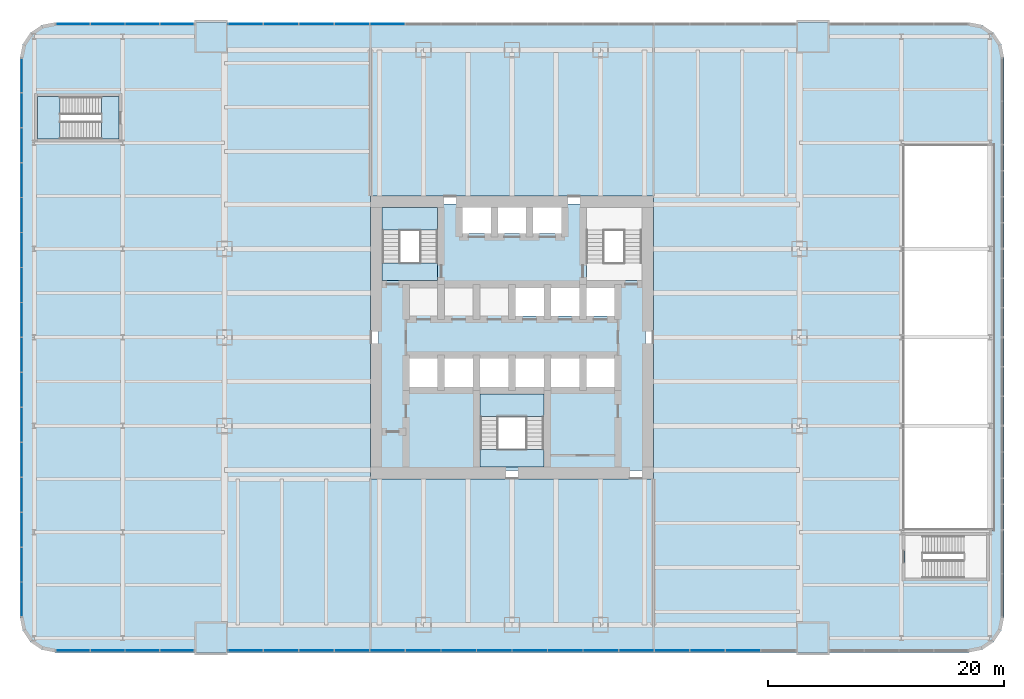
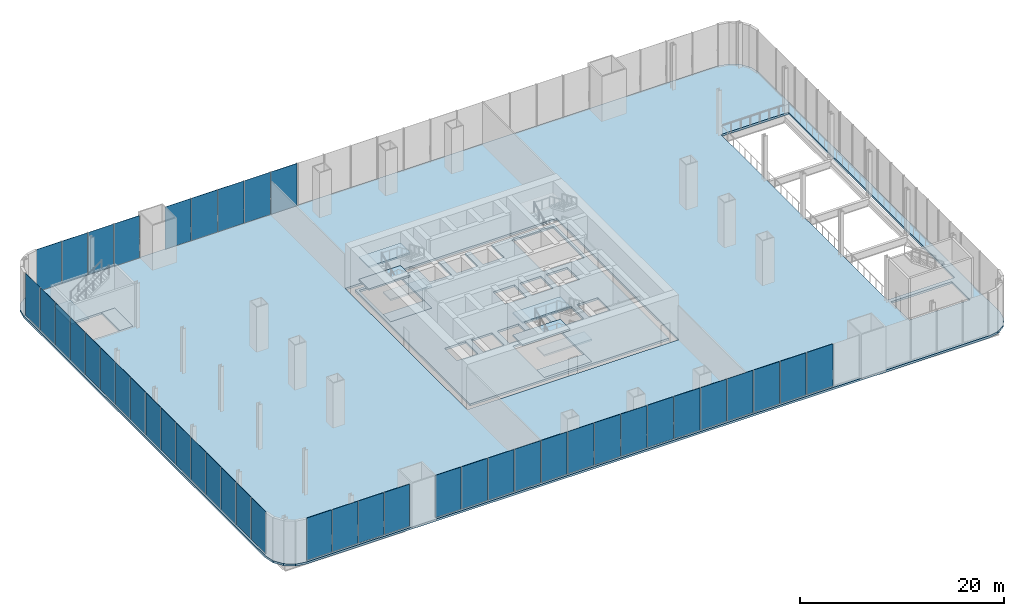
# One storey, part 10 of 16: 44 plates, 12 slabs, 8 elements without a shape of their own.
"""IFC4 building model written with IfcOpenShell, lengths in metres."""

import ifcopenshell
import ifcopenshell.guid

model = None  # the IFC model being written
_history = None  # IfcOwnerHistory: only IFC2X3 demands one
_inside = {}  # id of a spatial element -> (the spatial element, [elements in it])
_under = {}  # id of a project, library or spatial element -> (it, [spatial elements below it])
_declared = {}  # id of a project -> (the project, [libraries it declares])
_typed = {}  # id of a type object -> (the type object, [elements of that type])
_made_of = {}  # id of a material, layer set ... -> (it, [elements and type objects made of it])


def new_model(schema):
    """Start an empty IFC model of exactly this schema.

    Asked for "IFC4X3", IfcOpenShell would pick the latest addendum, in which some entities
    have other attributes; the version numbers below select the first issue.
    IFC2X3 requires an IfcOwnerHistory on every rooted entity: one is made here for all.
    """
    global model, _history
    if schema == "IFC4X3":
        model = ifcopenshell.file(schema_version=(4, 3, 0, 0))
    else:
        model = ifcopenshell.file(schema=schema)
    _inside.clear()
    _under.clear()
    _declared.clear()
    _typed.clear()
    _made_of.clear()
    _history = None
    if model.schema == "IFC2X3":
        org = make("IfcOrganization", Name="unknown")
        user = make(
            "IfcPersonAndOrganization",
            ThePerson=make("IfcPerson", FamilyName="unknown"),
            TheOrganization=org,
        )
        app = make(
            "IfcApplication",
            ApplicationDeveloper=org,
            Version="unknown",
            ApplicationFullName="unknown",
            ApplicationIdentifier="unknown",
        )
        _history = make(
            "IfcOwnerHistory",
            OwningUser=user,
            OwningApplication=app,
            ChangeAction="ADDED",
            CreationDate=0,
        )
    return model


def make(cls, **values):
    """One entity of the class cls with the attributes given. An attribute that is None is left unset."""
    return model.create_entity(
        cls, **{name: value for name, value in values.items() if value is not None}
    )


def rooted(cls, **values):
    """An entity with a GlobalId (a new one), such as an element, a storey or a relation."""
    return make(cls, GlobalId=ifcopenshell.guid.new(), OwnerHistory=_history, **values)


def si_unit(unit_type, name, prefix=None):
    """IfcSIUnit, for example si_unit("LENGTHUNIT", "METRE", prefix="MILLI")."""
    return make("IfcSIUnit", UnitType=unit_type, Prefix=prefix, Name=name)


def assignment(units):
    """IfcUnitAssignment: the units of a project."""
    return None if units is None else make("IfcUnitAssignment", Units=units)


def point(xyz):
    """IfcCartesianPoint."""
    return None if xyz is None else make("IfcCartesianPoint", Coordinates=xyz)


def direction(xyz):
    """IfcDirection."""
    return None if xyz is None else make("IfcDirection", DirectionRatios=xyz)


def frame(location, z_axis=None, x_axis=None):
    """IfcAxis2Placement3D, a coordinate frame: its origin and axes. An axis left out is left unset."""
    return make(
        "IfcAxis2Placement3D",
        Location=point(location),
        Axis=direction(z_axis),
        RefDirection=direction(x_axis),
    )


def frame_2d(location, x_axis=None):
    """IfcAxis2Placement2D, a coordinate frame in the plane: its origin and x axis."""
    return make(
        "IfcAxis2Placement2D", Location=point(location), RefDirection=direction(x_axis)
    )


def origin():
    """The frame at (0, 0, 0) with its axes left unset."""
    return frame((0.0, 0.0, 0.0))


def origin_2d():
    """The frame at (0, 0) in the plane with its x axis left unset."""
    return frame_2d((0.0, 0.0))


def place(relative_to, where):
    """IfcLocalPlacement: puts the frame where relative to a parent placement (None: the world)."""
    return make(
        "IfcLocalPlacement", PlacementRelTo=relative_to, RelativePlacement=where
    )


def context(
    kind, dimensions, precision=None, world=None, true_north=None, identifier=None
):
    """IfcGeometricRepresentationContext, for example the 3D "Model" context."""
    return make(
        "IfcGeometricRepresentationContext",
        ContextIdentifier=identifier,
        ContextType=kind,
        CoordinateSpaceDimension=dimensions,
        Precision=precision,
        WorldCoordinateSystem=world,
        TrueNorth=true_north,
    )


def subcontext(parent, identifier, kind, view, scale=None):
    """IfcGeometricRepresentationSubContext, for example "Body" below "Model"."""
    return make(
        "IfcGeometricRepresentationSubContext",
        ContextIdentifier=identifier,
        ContextType=kind,
        ParentContext=parent,
        TargetScale=scale,
        TargetView=view,
    )


def project(units=None, contexts=None):
    """IfcProject with its units and contexts."""
    return rooted(
        "IfcProject",
        Name="project",
        RepresentationContexts=contexts,
        UnitsInContext=assignment(units),
    )


def spatial(cls, under=None, at=None, **own):
    """A site, building, storey or space (cls), placed at a placement, below another one or the project."""
    s = rooted(cls, ObjectPlacement=at, **own)
    if under is not None:
        _under.setdefault(under.id(), (under, []))[1].append(s)
    return s


def polyline(points):
    """IfcPolyline through the points."""
    return make("IfcPolyline", Points=[point(p) for p in points])


def profile(cls, at=None, kind="AREA", **sizes):
    """A parametric profile (cls). Its sizes go by their IFC names, for example OverallWidth=200.0."""
    return make(cls, ProfileType=kind, Position=at, **sizes)


def rectangle(**sizes):
    """IfcRectangleProfileDef."""
    return profile("IfcRectangleProfileDef", **sizes)


def outline(outer, holes=None, kind="AREA"):
    """IfcArbitraryClosedProfileDef: a profile drawn as a closed curve; with holes, ...WithVoids."""
    if holes is None:
        return make("IfcArbitraryClosedProfileDef", ProfileType=kind, OuterCurve=outer)
    return make(
        "IfcArbitraryProfileDefWithVoids",
        ProfileType=kind,
        OuterCurve=outer,
        InnerCurves=holes,
    )


def extrude(swept, where, along, depth):
    """IfcExtrudedAreaSolid: the profile swept, set in the frame where, extruded along a direction by depth."""
    return make(
        "IfcExtrudedAreaSolid",
        SweptArea=swept,
        Position=where,
        ExtrudedDirection=direction(along),
        Depth=depth,
    )


def shape(context_of_items, identifier, shape_type, items):
    """IfcShapeRepresentation: the items that make up one representation, for example the "Body"."""
    return make(
        "IfcShapeRepresentation",
        ContextOfItems=context_of_items,
        RepresentationIdentifier=identifier,
        RepresentationType=shape_type,
        Items=items,
    )


def material(Name=None, Category=None):
    """IfcMaterial."""
    return make("IfcMaterial", Name=Name, Category=Category)


def layer(
    of_material, thickness, ventilated=None, Name=None, Category=None, Priority=None
):
    """IfcMaterialLayer: one layer of a wall or slab, of a material (None: an air gap)."""
    return make(
        "IfcMaterialLayer",
        Material=of_material,
        LayerThickness=thickness,
        IsVentilated=ventilated,
        Name=Name,
        Category=Category,
        Priority=Priority,
    )


def layer_set(layers, Name=None):
    """IfcMaterialLayerSet."""
    return make("IfcMaterialLayerSet", MaterialLayers=layers, LayerSetName=Name)


def made_of(thing, what):
    """Note that an element or type object is made of a material, layer set ...; save() writes the relation."""
    if what is not None:
        _made_of.setdefault(what.id(), (what, []))[1].append(thing)
    return thing


def type_object(cls, material=None, **own):
    """A type object (cls), such as IfcWallType, which elements share."""
    return made_of(rooted(cls, **own), material)


def element(
    cls,
    number,
    at=None,
    inside=None,
    cuts=None,
    type_object=None,
    material=None,
    context=None,
    identifier="Body",
    shape_type=None,
    held_by="IfcProductDefinitionShape",
    body=None,
    shapes=None,
    **own,
):
    """One element of the class cls, such as IfcWall. Its Tag is "e" and its number.

    at: its placement. inside: the storey or other place that contains it. cuts: it is an
    opening in that element (IfcRelVoidsElement). A single representation is given by context,
    identifier, shape_type and body (its items); several are given by shapes. held_by: the class
    of the entity that holds the representations. save() writes the other relations.
    """
    e = rooted(cls, Tag="e%d" % number, ObjectPlacement=at, **own)
    if body is not None:
        shapes = [shape(context, identifier, shape_type, body)]
    if shapes is not None:
        e.Representation = make(held_by, Representations=shapes)
    if inside is not None:
        _inside.setdefault(inside.id(), (inside, []))[1].append(e)
    if cuts is not None:
        rooted(
            "IfcRelVoidsElement", RelatingBuildingElement=cuts, RelatedOpeningElement=e
        )
    if type_object is not None:
        _typed.setdefault(type_object.id(), (type_object, []))[1].append(e)
    return made_of(e, material)


def aggregate(whole, parts):
    """IfcRelAggregates: a whole, such as a stair, and the parts it consists of."""
    return rooted("IfcRelAggregates", RelatingObject=whole, RelatedObjects=parts)


def save(model, path):
    """Write the relations noted so far, then the file.

    IfcRelAggregates (storeys below a building ...), IfcRelContainedInSpatialStructure (elements
    in a storey), IfcRelDefinesByType, IfcRelAssociatesMaterial and IfcRelDeclares: one each for
    every whole, place, type object, material and project.
    """
    for whole, parts in _under.values():
        aggregate(whole, parts)
    for where, things in _inside.values():
        rooted(
            "IfcRelContainedInSpatialStructure",
            RelatedElements=things,
            RelatingStructure=where,
        )
    for kind, things in _typed.values():
        rooted("IfcRelDefinesByType", RelatedObjects=things, RelatingType=kind)
    for what, things in _made_of.values():
        rooted("IfcRelAssociatesMaterial", RelatedObjects=things, RelatingMaterial=what)
    for by, libraries in _declared.values():
        rooted("IfcRelDeclares", RelatingContext=by, RelatedDefinitions=libraries)
    model.write(path)


model = new_model("IFC4")

# Units and contexts
model_context = context("Model", 3, precision=1e-05, world=origin(), true_north=direction((0.0, 1.0)))
body_context = subcontext(model_context, "Body", "Model", "MODEL_VIEW")
ifc_project = project(units=[si_unit("LENGTHUNIT", "METRE"), si_unit("AREAUNIT", "SQUARE_METRE"), si_unit("VOLUMEUNIT", "CUBIC_METRE"), si_unit("PLANEANGLEUNIT", "RADIAN"), si_unit("MASSUNIT", "GRAM", prefix="KILO")], contexts=[model_context])

# Site, building, storey
site_placement = place(None, origin())
site = spatial("IfcSite", under=ifc_project, at=site_placement, CompositionType="ELEMENT")
building_placement = place(site_placement, origin())
building = spatial("IfcBuilding", under=site, at=building_placement, Name="Tarangal Relay Tower", CompositionType="ELEMENT")
storey_placement = place(building_placement, frame((0.0, 0.0, 7.199951171875)))
storey = spatial("IfcBuildingStorey", under=building, at=storey_placement, Name="L01", CompositionType="ELEMENT", Elevation=7.199951171875)

# Slabs
ifc_material_1 = material(Name="Concrete fc' 35 MPa", Category="concrete")
ifc_layer_1 = layer(ifc_material_1, 0.25)
ifc_layer_set_1 = layer_set([ifc_layer_1], Name="Core floor slab 250")
slab_type_1 = type_object("IfcSlabType", Name="Core floor slab 250", PredefinedType="FLOOR", material=ifc_layer_set_1)
slab_1_placement = place(storey_placement, frame((0.0, 0.0, -0.25)))
element("IfcSlab", 1, at=slab_1_placement, inside=storey, type_object=slab_type_1, Name="Core floor slab L01", PredefinedType="FLOOR", context=body_context, shape_type="SweptSolid", body=[
    extrude(outline(polyline([(11.300048828125, 11.300048828125), (11.300048828125, -11.300048828125), (-11.300048828125, -11.300048828125), (-11.300048828125, 11.300048828125), (-4.199951171875, 11.300048828125), (-4.199951171875, 8.800048828125), (-1.800048828125, 8.800048828125), (-1.800048828125, 11.300048828125), (-1.199951171875, 11.300048828125), (-1.199951171875, 8.800048828125), (1.199951171875, 8.800048828125), (1.199951171875, 11.300048828125), (1.800048828125, 11.300048828125), (1.800048828125, 8.800048828125), (4.199951171875, 8.800048828125), (4.199951171875, 11.300048828125), (11.300048828125, 11.300048828125)]), holes=[polyline([(2.699951171875, -4.800048828125), (-2.699951171875, -4.800048828125), (-2.699951171875, -11.0), (2.699951171875, -11.0), (2.699951171875, -4.800048828125)]), polyline([(-6.300048828125, -4.199951171875), (-6.300048828125, -1.800048828125), (-8.699951171875, -1.800048828125), (-8.699951171875, -4.199951171875), (-6.300048828125, -4.199951171875)]), polyline([(-3.300048828125, -4.199951171875), (-3.300048828125, -1.800048828125), (-5.699951171875, -1.800048828125), (-5.699951171875, -4.199951171875), (-3.300048828125, -4.199951171875)]), polyline([(-0.300048828125, -4.199951171875), (-0.300048828125, -1.800048828125), (-2.699951171875, -1.800048828125), (-2.699951171875, -4.199951171875), (-0.300048828125, -4.199951171875)]), polyline([(2.699951171875, 1.800048828125), (2.699951171875, 4.199951171875), (0.300048828125, 4.199951171875), (0.300048828125, 1.800048828125), (2.699951171875, 1.800048828125)]), polyline([(-6.300048828125, 4.800048828125), (-6.300048828125, 11.0), (-11.0, 11.0), (-11.0, 4.800048828125), (-6.300048828125, 4.800048828125)]), polyline([(2.699951171875, -4.199951171875), (2.699951171875, -1.800048828125), (0.300048828125, -1.800048828125), (0.300048828125, -4.199951171875), (2.699951171875, -4.199951171875)]), polyline([(5.699951171875, -4.199951171875), (5.699951171875, -1.800048828125), (3.300048828125, -1.800048828125), (3.300048828125, -4.199951171875), (5.699951171875, -4.199951171875)]), polyline([(8.699951171875, -4.199951171875), (8.699951171875, -1.800048828125), (6.300048828125, -1.800048828125), (6.300048828125, -4.199951171875), (8.699951171875, -4.199951171875)]), polyline([(5.699951171875, 1.800048828125), (5.699951171875, 4.199951171875), (3.300048828125, 4.199951171875), (3.300048828125, 1.800048828125), (5.699951171875, 1.800048828125)]), polyline([(8.699951171875, 1.800048828125), (8.699951171875, 4.199951171875), (6.300048828125, 4.199951171875), (6.300048828125, 1.800048828125), (8.699951171875, 1.800048828125)]), polyline([(11.0, 4.800048828125), (11.0, 11.0), (6.300048828125, 11.0), (6.300048828125, 4.800048828125), (11.0, 4.800048828125)])]), origin(), (0.0, 0.0, 1.0), 0.25),
])
ifc_layer_2 = layer(ifc_material_1, 0.25)
ifc_layer_set_2 = layer_set([ifc_layer_2], Name="Floor slab 250")
slab_type_2 = type_object("IfcSlabType", Name="Floor slab 250", PredefinedType="FLOOR", material=ifc_layer_set_2)
slab_2_placement = place(storey_placement, frame((0.0, 0.0, -0.25)))
element("IfcSlab", 2, at=slab_2_placement, inside=storey, type_object=slab_type_2, Name="Floor slab FS1 L01", PredefinedType="FLOOR", context=body_context, shape_type="SweptSolid", body=[
    extrude(outline(polyline([(41.699951171875, 23.699951171875), (41.4716796875, 24.84814453125), (40.8212890625, 25.8212890625), (39.84814453125, 26.4716796875), (38.699951171875, 26.699951171875), (-38.699951171875, 26.699951171875), (-39.84814453125, 26.4716796875), (-40.8212890625, 25.8212890625), (-41.4716796875, 24.84814453125), (-41.699951171875, 23.699951171875), (-41.699951171875, -23.699951171875), (-41.4716796875, -24.84814453125), (-40.8212890625, -25.8212890625), (-39.84814453125, -26.4716796875), (-38.699951171875, -26.699951171875), (38.699951171875, -26.699951171875), (39.84814453125, -26.4716796875), (40.8212890625, -25.8212890625), (41.4716796875, -24.84814453125), (41.699951171875, -23.699951171875), (41.699951171875, 23.699951171875)]), holes=[polyline([(-12.0, -12.0), (12.0, -12.0), (12.0, 12.0), (-12.0, 12.0), (-12.0, -12.0)]), polyline([(-40.199951171875, 16.800048828125), (-33.300048828125, 16.800048828125), (-33.300048828125, 20.39990234375), (-40.199951171875, 20.39990234375), (-40.199951171875, 16.800048828125)]), polyline([(33.300048828125, -20.39990234375), (40.199951171875, -20.39990234375), (40.199951171875, -16.800048828125), (33.300048828125, -16.800048828125), (33.300048828125, -20.39990234375)]), polyline([(33.14990234375, -16.35009765625), (40.800048828125, -16.35009765625), (40.800048828125, 16.35009765625), (33.14990234375, 16.35009765625), (33.14990234375, -16.35009765625)])]), origin(), (0.0, 0.0, 1.0), 0.25),
])

# Curtain wall, plates
ifc_material_2 = material(Name="Unitised curtain wall, dark glass and black aluminium", Category="aluminium")
curtain_wall_type = type_object("IfcCurtainWallType", Name="Curtain wall CW-P", PredefinedType="USERDEFINED", material=ifc_material_2)
curtain_wall_1_placement = place(storey_placement, origin())
curtain_wall_1 = element("IfcCurtainWall", 3, at=curtain_wall_1_placement, inside=storey, type_object=curtain_wall_type, Name="Curtain wall CW-P Podium N facade L01", ObjectType="UNITISED CURTAIN WALL", PredefinedType="USERDEFINED")
ifc_material_3 = material(Name="Dark tinted insulated glass unit", Category="glass")
ifc_layer_3 = layer(ifc_material_3, 0.033935546875)
ifc_layer_set_3 = layer_set([ifc_layer_3], Name="Glazed panel CW-P 34")
plate_type = type_object("IfcPlateType", Name="Glazed panel CW-P 34", PredefinedType="CURTAIN_PANEL", material=ifc_layer_set_3)
plate_1_placement = place(storey_placement, frame((-10.543701171875, 26.550048828125, 0.070068359375), z_axis=(0.0, 0.0, 1.0), x_axis=(-1.0, 0.0, 0.0)))
plate_1 = element("IfcPlate", 4, at=plate_1_placement, type_object=plate_type, Name="CW-P panel 12.1", PredefinedType="CURTAIN_PANEL", context=body_context, shape_type="SweptSolid", body=[
    extrude(rectangle(XDim=2.9423828125, YDim=0.033935546875, at=origin_2d()), origin(), (0.0, 0.0, 1.0), 5.080078125),
])
plate_2_placement = place(storey_placement, frame((-13.55615234375, 26.550048828125, 0.070068359375), z_axis=(0.0, 0.0, 1.0), x_axis=(-1.0, 0.0, 0.0)))
plate_2 = element("IfcPlate", 5, at=plate_2_placement, type_object=plate_type, Name="CW-P panel 13.1", PredefinedType="CURTAIN_PANEL", context=body_context, shape_type="SweptSolid", body=[
    extrude(rectangle(XDim=2.9423828125, YDim=0.033935546875, at=origin_2d()), origin(), (0.0, 0.0, 1.0), 5.080078125),
])
plate_3_placement = place(storey_placement, frame((-16.56884765625, 26.550048828125, 0.070068359375), z_axis=(0.0, 0.0, 1.0), x_axis=(-1.0, 0.0, 0.0)))
plate_3 = element("IfcPlate", 6, at=plate_3_placement, type_object=plate_type, Name="CW-P panel 14.1", PredefinedType="CURTAIN_PANEL", context=body_context, shape_type="SweptSolid", body=[
    extrude(rectangle(XDim=2.9423828125, YDim=0.033935546875, at=origin_2d()), origin(), (0.0, 0.0, 1.0), 5.080078125),
])
plate_4_placement = place(storey_placement, frame((-19.581298828125, 26.550048828125, 0.070068359375), z_axis=(0.0, 0.0, 1.0), x_axis=(-1.0, 0.0, 0.0)))
plate_4 = element("IfcPlate", 7, at=plate_4_placement, type_object=plate_type, Name="CW-P panel 15.1", PredefinedType="CURTAIN_PANEL", context=body_context, shape_type="SweptSolid", body=[
    extrude(rectangle(XDim=2.9423828125, YDim=0.033935546875, at=origin_2d()), origin(), (0.0, 0.0, 1.0), 5.080078125),
])
plate_5_placement = place(storey_placement, frame((-22.576171875, 26.550048828125, 0.070068359375), z_axis=(0.0, 0.0, 1.0), x_axis=(-1.0, 0.0, 0.0)))
plate_5 = element("IfcPlate", 8, at=plate_5_placement, type_object=plate_type, Name="CW-P panel 16.1", PredefinedType="CURTAIN_PANEL", context=body_context, shape_type="SweptSolid", body=[
    extrude(rectangle(XDim=2.907470703125, YDim=0.033935546875, at=origin_2d()), origin(), (0.0, 0.0, 1.0), 5.080078125),
])
aggregate(curtain_wall_1, [plate_1, plate_2, plate_3, plate_4, plate_5])

curtain_wall_2_placement = place(storey_placement, origin())
curtain_wall_2 = element("IfcCurtainWall", 9, at=curtain_wall_2_placement, inside=storey, type_object=curtain_wall_type, Name="Curtain wall CW-P Podium N facade L01", ObjectType="UNITISED CURTAIN WALL", PredefinedType="USERDEFINED")
plate_6_placement = place(storey_placement, frame((-28.392578125, 26.550048828125, 0.070068359375), z_axis=(0.0, 0.0, 1.0), x_axis=(-1.0, 0.0, 0.0)))
plate_6 = element("IfcPlate", 10, at=plate_6_placement, type_object=plate_type, Name="CW-P panel 1.1", PredefinedType="CURTAIN_PANEL", context=body_context, shape_type="SweptSolid", body=[
    extrude(rectangle(XDim=2.844970703125, YDim=0.033935546875, at=origin_2d()), origin(), (0.0, 0.0, 1.0), 5.080078125),
])
plate_7_placement = place(storey_placement, frame((-31.324951171875, 26.550048828125, 0.070068359375), z_axis=(0.0, 0.0, 1.0), x_axis=(-1.0, 0.0, 0.0)))
plate_7 = element("IfcPlate", 11, at=plate_7_placement, type_object=plate_type, Name="CW-P panel 2.1", PredefinedType="CURTAIN_PANEL", context=body_context, shape_type="SweptSolid", body=[
    extrude(rectangle(XDim=2.8798828125, YDim=0.033935546875, at=origin_2d()), origin(), (0.0, 0.0, 1.0), 5.080078125),
])
plate_8_placement = place(storey_placement, frame((-34.27490234375, 26.550048828125, 0.070068359375), z_axis=(0.0, 0.0, 1.0), x_axis=(-1.0, 0.0, 0.0)))
plate_8 = element("IfcPlate", 12, at=plate_8_placement, type_object=plate_type, Name="CW-P panel 3.1", PredefinedType="CURTAIN_PANEL", context=body_context, shape_type="SweptSolid", body=[
    extrude(rectangle(XDim=2.8798828125, YDim=0.033935546875, at=origin_2d()), origin(), (0.0, 0.0, 1.0), 5.080078125),
])
plate_9_placement = place(storey_placement, frame((-37.20751953125, 26.550048828125, 0.070068359375), z_axis=(0.0, 0.0, 1.0), x_axis=(-1.0, 0.0, 0.0)))
plate_9 = element("IfcPlate", 13, at=plate_9_placement, type_object=plate_type, Name="CW-P panel 4.1", PredefinedType="CURTAIN_PANEL", context=body_context, shape_type="SweptSolid", body=[
    extrude(rectangle(XDim=2.844970703125, YDim=0.033935546875, at=origin_2d()), origin(), (0.0, 0.0, 1.0), 5.080078125),
])
aggregate(curtain_wall_2, [plate_6, plate_7, plate_8, plate_9])

curtain_wall_3_placement = place(storey_placement, origin())
curtain_wall_3 = element("IfcCurtainWall", 14, at=curtain_wall_3_placement, inside=storey, type_object=curtain_wall_type, Name="Curtain wall CW-P Podium W facade L01", ObjectType="UNITISED CURTAIN WALL", PredefinedType="USERDEFINED")
plate_10_placement = place(storey_placement, frame((-41.550048828125, 22.201171875, 0.070068359375), z_axis=(0.0, 0.0, 1.0), x_axis=(0.0, -1.0, 0.0)))
plate_10 = element("IfcPlate", 15, at=plate_10_placement, type_object=plate_type, Name="CW-P panel 1.1", PredefinedType="CURTAIN_PANEL", context=body_context, shape_type="SweptSolid", body=[
    extrude(rectangle(XDim=2.857421875, YDim=0.033935546875, at=origin_2d()), origin(), (0.0, 0.0, 1.0), 5.080078125),
])
plate_11_placement = place(storey_placement, frame((-41.550048828125, 19.25634765625, 0.070068359375), z_axis=(0.0, 0.0, 1.0), x_axis=(0.0, -1.0, 0.0)))
plate_11 = element("IfcPlate", 16, at=plate_11_placement, type_object=plate_type, Name="CW-P panel 2.1", PredefinedType="CURTAIN_PANEL", context=body_context, shape_type="SweptSolid", body=[
    extrude(rectangle(XDim=2.892578125, YDim=0.033935546875, at=origin_2d()), origin(), (0.0, 0.0, 1.0), 5.080078125),
])
plate_12_placement = place(storey_placement, frame((-41.550048828125, 16.293701171875, 0.070068359375), z_axis=(0.0, 0.0, 1.0), x_axis=(0.0, -1.0, 0.0)))
plate_12 = element("IfcPlate", 17, at=plate_12_placement, type_object=plate_type, Name="CW-P panel 3.1", PredefinedType="CURTAIN_PANEL", context=body_context, shape_type="SweptSolid", body=[
    extrude(rectangle(XDim=2.892578125, YDim=0.033935546875, at=origin_2d()), origin(), (0.0, 0.0, 1.0), 5.080078125),
])
plate_13_placement = place(storey_placement, frame((-41.550048828125, 13.331298828125, 0.070068359375), z_axis=(0.0, 0.0, 1.0), x_axis=(0.0, -1.0, 0.0)))
plate_13 = element("IfcPlate", 18, at=plate_13_placement, type_object=plate_type, Name="CW-P panel 4.1", PredefinedType="CURTAIN_PANEL", context=body_context, shape_type="SweptSolid", body=[
    extrude(rectangle(XDim=2.892578125, YDim=0.033935546875, at=origin_2d()), origin(), (0.0, 0.0, 1.0), 5.080078125),
])
plate_14_placement = place(storey_placement, frame((-41.550048828125, 10.36865234375, 0.070068359375), z_axis=(0.0, 0.0, 1.0), x_axis=(0.0, -1.0, 0.0)))
plate_14 = element("IfcPlate", 19, at=plate_14_placement, type_object=plate_type, Name="CW-P panel 5.1", PredefinedType="CURTAIN_PANEL", context=body_context, shape_type="SweptSolid", body=[
    extrude(rectangle(XDim=2.892578125, YDim=0.033935546875, at=origin_2d()), origin(), (0.0, 0.0, 1.0), 5.080078125),
])
plate_15_placement = place(storey_placement, frame((-41.550048828125, 7.40625, 0.070068359375), z_axis=(0.0, 0.0, 1.0), x_axis=(0.0, -1.0, 0.0)))
plate_15 = element("IfcPlate", 20, at=plate_15_placement, type_object=plate_type, Name="CW-P panel 6.1", PredefinedType="CURTAIN_PANEL", context=body_context, shape_type="SweptSolid", body=[
    extrude(rectangle(XDim=2.892578125, YDim=0.033935546875, at=origin_2d()), origin(), (0.0, 0.0, 1.0), 5.080078125),
])
plate_16_placement = place(storey_placement, frame((-41.550048828125, 4.44384765625, 0.070068359375), z_axis=(0.0, 0.0, 1.0), x_axis=(0.0, -1.0, 0.0)))
plate_16 = element("IfcPlate", 21, at=plate_16_placement, type_object=plate_type, Name="CW-P panel 7.1", PredefinedType="CURTAIN_PANEL", context=body_context, shape_type="SweptSolid", body=[
    extrude(rectangle(XDim=2.892578125, YDim=0.033935546875, at=origin_2d()), origin(), (0.0, 0.0, 1.0), 5.080078125),
])
plate_17_placement = place(storey_placement, frame((-41.550048828125, 1.481201171875, 0.070068359375), z_axis=(0.0, 0.0, 1.0), x_axis=(0.0, -1.0, 0.0)))
plate_17 = element("IfcPlate", 22, at=plate_17_placement, type_object=plate_type, Name="CW-P panel 8.1", PredefinedType="CURTAIN_PANEL", context=body_context, shape_type="SweptSolid", body=[
    extrude(rectangle(XDim=2.892578125, YDim=0.033935546875, at=origin_2d()), origin(), (0.0, 0.0, 1.0), 5.080078125),
])
plate_18_placement = place(storey_placement, frame((-41.550048828125, -1.481201171875, 0.070068359375), z_axis=(0.0, 0.0, 1.0), x_axis=(0.0, -1.0, 0.0)))
plate_18 = element("IfcPlate", 23, at=plate_18_placement, type_object=plate_type, Name="CW-P panel 9.1", PredefinedType="CURTAIN_PANEL", context=body_context, shape_type="SweptSolid", body=[
    extrude(rectangle(XDim=2.892578125, YDim=0.033935546875, at=origin_2d()), origin(), (0.0, 0.0, 1.0), 5.080078125),
])
plate_19_placement = place(storey_placement, frame((-41.550048828125, -4.44384765625, 0.070068359375), z_axis=(0.0, 0.0, 1.0), x_axis=(0.0, -1.0, 0.0)))
plate_19 = element("IfcPlate", 24, at=plate_19_placement, type_object=plate_type, Name="CW-P panel 10.1", PredefinedType="CURTAIN_PANEL", context=body_context, shape_type="SweptSolid", body=[
    extrude(rectangle(XDim=2.892578125, YDim=0.033935546875, at=origin_2d()), origin(), (0.0, 0.0, 1.0), 5.080078125),
])
plate_20_placement = place(storey_placement, frame((-41.550048828125, -7.40625, 0.070068359375), z_axis=(0.0, 0.0, 1.0), x_axis=(0.0, -1.0, 0.0)))
plate_20 = element("IfcPlate", 25, at=plate_20_placement, type_object=plate_type, Name="CW-P panel 11.1", PredefinedType="CURTAIN_PANEL", context=body_context, shape_type="SweptSolid", body=[
    extrude(rectangle(XDim=2.892578125, YDim=0.033935546875, at=origin_2d()), origin(), (0.0, 0.0, 1.0), 5.080078125),
])
plate_21_placement = place(storey_placement, frame((-41.550048828125, -10.36865234375, 0.070068359375), z_axis=(0.0, 0.0, 1.0), x_axis=(0.0, -1.0, 0.0)))
plate_21 = element("IfcPlate", 26, at=plate_21_placement, type_object=plate_type, Name="CW-P panel 12.1", PredefinedType="CURTAIN_PANEL", context=body_context, shape_type="SweptSolid", body=[
    extrude(rectangle(XDim=2.892578125, YDim=0.033935546875, at=origin_2d()), origin(), (0.0, 0.0, 1.0), 5.080078125),
])
plate_22_placement = place(storey_placement, frame((-41.550048828125, -13.331298828125, 0.070068359375), z_axis=(0.0, 0.0, 1.0), x_axis=(0.0, -1.0, 0.0)))
plate_22 = element("IfcPlate", 27, at=plate_22_placement, type_object=plate_type, Name="CW-P panel 13.1", PredefinedType="CURTAIN_PANEL", context=body_context, shape_type="SweptSolid", body=[
    extrude(rectangle(XDim=2.892578125, YDim=0.033935546875, at=origin_2d()), origin(), (0.0, 0.0, 1.0), 5.080078125),
])
plate_23_placement = place(storey_placement, frame((-41.550048828125, -16.293701171875, 0.070068359375), z_axis=(0.0, 0.0, 1.0), x_axis=(0.0, -1.0, 0.0)))
plate_23 = element("IfcPlate", 28, at=plate_23_placement, type_object=plate_type, Name="CW-P panel 14.1", PredefinedType="CURTAIN_PANEL", context=body_context, shape_type="SweptSolid", body=[
    extrude(rectangle(XDim=2.892578125, YDim=0.033935546875, at=origin_2d()), origin(), (0.0, 0.0, 1.0), 5.080078125),
])
plate_24_placement = place(storey_placement, frame((-41.550048828125, -19.25634765625, 0.070068359375), z_axis=(0.0, 0.0, 1.0), x_axis=(0.0, -1.0, 0.0)))
plate_24 = element("IfcPlate", 29, at=plate_24_placement, type_object=plate_type, Name="CW-P panel 15.1", PredefinedType="CURTAIN_PANEL", context=body_context, shape_type="SweptSolid", body=[
    extrude(rectangle(XDim=2.892578125, YDim=0.033935546875, at=origin_2d()), origin(), (0.0, 0.0, 1.0), 5.080078125),
])
plate_25_placement = place(storey_placement, frame((-41.550048828125, -22.201171875, 0.070068359375), z_axis=(0.0, 0.0, 1.0), x_axis=(0.0, -1.0, 0.0)))
plate_25 = element("IfcPlate", 30, at=plate_25_placement, type_object=plate_type, Name="CW-P panel 16.1", PredefinedType="CURTAIN_PANEL", context=body_context, shape_type="SweptSolid", body=[
    extrude(rectangle(XDim=2.857421875, YDim=0.033935546875, at=origin_2d()), origin(), (0.0, 0.0, 1.0), 5.080078125),
])
aggregate(curtain_wall_3, [plate_10, plate_11, plate_12, plate_13, plate_14, plate_15, plate_16, plate_17, plate_18, plate_19, plate_20, plate_21, plate_22, plate_23, plate_24, plate_25])

curtain_wall_4_placement = place(storey_placement, origin())
curtain_wall_4 = element("IfcCurtainWall", 31, at=curtain_wall_4_placement, inside=storey, type_object=curtain_wall_type, Name="Curtain wall CW-P Podium S facade L01", ObjectType="UNITISED CURTAIN WALL", PredefinedType="USERDEFINED")
plate_26_placement = place(storey_placement, frame((-37.20751953125, -26.550048828125, 0.070068359375), z_axis=(0.0, 0.0, 1.0), x_axis=(1.0, 0.0, 0.0)))
plate_26 = element("IfcPlate", 32, at=plate_26_placement, type_object=plate_type, Name="CW-P panel 1.1", PredefinedType="CURTAIN_PANEL", context=body_context, shape_type="SweptSolid", body=[
    extrude(rectangle(XDim=2.844970703125, YDim=0.033935546875, at=origin_2d()), origin(), (0.0, 0.0, 1.0), 5.080078125),
])
plate_27_placement = place(storey_placement, frame((-34.27490234375, -26.550048828125, 0.070068359375), z_axis=(0.0, 0.0, 1.0), x_axis=(1.0, 0.0, 0.0)))
plate_27 = element("IfcPlate", 33, at=plate_27_placement, type_object=plate_type, Name="CW-P panel 2.1", PredefinedType="CURTAIN_PANEL", context=body_context, shape_type="SweptSolid", body=[
    extrude(rectangle(XDim=2.8798828125, YDim=0.033935546875, at=origin_2d()), origin(), (0.0, 0.0, 1.0), 5.080078125),
])
plate_28_placement = place(storey_placement, frame((-31.324951171875, -26.550048828125, 0.070068359375), z_axis=(0.0, 0.0, 1.0), x_axis=(1.0, 0.0, 0.0)))
plate_28 = element("IfcPlate", 34, at=plate_28_placement, type_object=plate_type, Name="CW-P panel 3.1", PredefinedType="CURTAIN_PANEL", context=body_context, shape_type="SweptSolid", body=[
    extrude(rectangle(XDim=2.8798828125, YDim=0.033935546875, at=origin_2d()), origin(), (0.0, 0.0, 1.0), 5.080078125),
])
plate_29_placement = place(storey_placement, frame((-28.392578125, -26.550048828125, 0.070068359375), z_axis=(0.0, 0.0, 1.0), x_axis=(1.0, 0.0, 0.0)))
plate_29 = element("IfcPlate", 35, at=plate_29_placement, type_object=plate_type, Name="CW-P panel 4.1", PredefinedType="CURTAIN_PANEL", context=body_context, shape_type="SweptSolid", body=[
    extrude(rectangle(XDim=2.844970703125, YDim=0.033935546875, at=origin_2d()), origin(), (0.0, 0.0, 1.0), 5.080078125),
])
aggregate(curtain_wall_4, [plate_26, plate_27, plate_28, plate_29])

curtain_wall_5_placement = place(storey_placement, origin())
curtain_wall_5 = element("IfcCurtainWall", 36, at=curtain_wall_5_placement, inside=storey, type_object=curtain_wall_type, Name="Curtain wall CW-P Podium S facade L01", ObjectType="UNITISED CURTAIN WALL", PredefinedType="USERDEFINED")
plate_30_placement = place(storey_placement, frame((-22.576171875, -26.550048828125, 0.070068359375), z_axis=(0.0, 0.0, 1.0), x_axis=(1.0, 0.0, 0.0)))
plate_30 = element("IfcPlate", 37, at=plate_30_placement, type_object=plate_type, Name="CW-P panel 1.1", PredefinedType="CURTAIN_PANEL", context=body_context, shape_type="SweptSolid", body=[
    extrude(rectangle(XDim=2.907470703125, YDim=0.033935546875, at=origin_2d()), origin(), (0.0, 0.0, 1.0), 5.080078125),
])
plate_31_placement = place(storey_placement, frame((-19.581298828125, -26.550048828125, 0.070068359375), z_axis=(0.0, 0.0, 1.0), x_axis=(1.0, 0.0, 0.0)))
plate_31 = element("IfcPlate", 38, at=plate_31_placement, type_object=plate_type, Name="CW-P panel 2.1", PredefinedType="CURTAIN_PANEL", context=body_context, shape_type="SweptSolid", body=[
    extrude(rectangle(XDim=2.9423828125, YDim=0.033935546875, at=origin_2d()), origin(), (0.0, 0.0, 1.0), 5.080078125),
])
plate_32_placement = place(storey_placement, frame((-16.56884765625, -26.550048828125, 0.070068359375), z_axis=(0.0, 0.0, 1.0), x_axis=(1.0, 0.0, 0.0)))
plate_32 = element("IfcPlate", 39, at=plate_32_placement, type_object=plate_type, Name="CW-P panel 3.1", PredefinedType="CURTAIN_PANEL", context=body_context, shape_type="SweptSolid", body=[
    extrude(rectangle(XDim=2.9423828125, YDim=0.033935546875, at=origin_2d()), origin(), (0.0, 0.0, 1.0), 5.080078125),
])
plate_33_placement = place(storey_placement, frame((-13.55615234375, -26.550048828125, 0.070068359375), z_axis=(0.0, 0.0, 1.0), x_axis=(1.0, 0.0, 0.0)))
plate_33 = element("IfcPlate", 40, at=plate_33_placement, type_object=plate_type, Name="CW-P panel 4.1", PredefinedType="CURTAIN_PANEL", context=body_context, shape_type="SweptSolid", body=[
    extrude(rectangle(XDim=2.9423828125, YDim=0.033935546875, at=origin_2d()), origin(), (0.0, 0.0, 1.0), 5.080078125),
])
plate_34_placement = place(storey_placement, frame((-10.543701171875, -26.550048828125, 0.070068359375), z_axis=(0.0, 0.0, 1.0), x_axis=(1.0, 0.0, 0.0)))
plate_34 = element("IfcPlate", 41, at=plate_34_placement, type_object=plate_type, Name="CW-P panel 5.1", PredefinedType="CURTAIN_PANEL", context=body_context, shape_type="SweptSolid", body=[
    extrude(rectangle(XDim=2.9423828125, YDim=0.033935546875, at=origin_2d()), origin(), (0.0, 0.0, 1.0), 5.080078125),
])
plate_35_placement = place(storey_placement, frame((-7.53125, -26.550048828125, 0.070068359375), z_axis=(0.0, 0.0, 1.0), x_axis=(1.0, 0.0, 0.0)))
plate_35 = element("IfcPlate", 42, at=plate_35_placement, type_object=plate_type, Name="CW-P panel 6.1", PredefinedType="CURTAIN_PANEL", context=body_context, shape_type="SweptSolid", body=[
    extrude(rectangle(XDim=2.9423828125, YDim=0.033935546875, at=origin_2d()), origin(), (0.0, 0.0, 1.0), 5.080078125),
])
plate_36_placement = place(storey_placement, frame((-4.518798828125, -26.550048828125, 0.070068359375), z_axis=(0.0, 0.0, 1.0), x_axis=(1.0, 0.0, 0.0)))
plate_36 = element("IfcPlate", 43, at=plate_36_placement, type_object=plate_type, Name="CW-P panel 7.1", PredefinedType="CURTAIN_PANEL", context=body_context, shape_type="SweptSolid", body=[
    extrude(rectangle(XDim=2.9423828125, YDim=0.033935546875, at=origin_2d()), origin(), (0.0, 0.0, 1.0), 5.080078125),
])
plate_37_placement = place(storey_placement, frame((-1.50634765625, -26.550048828125, 0.070068359375), z_axis=(0.0, 0.0, 1.0), x_axis=(1.0, 0.0, 0.0)))
plate_37 = element("IfcPlate", 44, at=plate_37_placement, type_object=plate_type, Name="CW-P panel 8.1", PredefinedType="CURTAIN_PANEL", context=body_context, shape_type="SweptSolid", body=[
    extrude(rectangle(XDim=2.9423828125, YDim=0.033935546875, at=origin_2d()), origin(), (0.0, 0.0, 1.0), 5.080078125),
])
plate_38_placement = place(storey_placement, frame((1.50634765625, -26.550048828125, 0.070068359375), z_axis=(0.0, 0.0, 1.0), x_axis=(1.0, 0.0, 0.0)))
plate_38 = element("IfcPlate", 45, at=plate_38_placement, type_object=plate_type, Name="CW-P panel 9.1", PredefinedType="CURTAIN_PANEL", context=body_context, shape_type="SweptSolid", body=[
    extrude(rectangle(XDim=2.9423828125, YDim=0.033935546875, at=origin_2d()), origin(), (0.0, 0.0, 1.0), 5.080078125),
])
plate_39_placement = place(storey_placement, frame((4.518798828125, -26.550048828125, 0.070068359375), z_axis=(0.0, 0.0, 1.0), x_axis=(1.0, 0.0, 0.0)))
plate_39 = element("IfcPlate", 46, at=plate_39_placement, type_object=plate_type, Name="CW-P panel 10.1", PredefinedType="CURTAIN_PANEL", context=body_context, shape_type="SweptSolid", body=[
    extrude(rectangle(XDim=2.9423828125, YDim=0.033935546875, at=origin_2d()), origin(), (0.0, 0.0, 1.0), 5.080078125),
])
plate_40_placement = place(storey_placement, frame((7.53125, -26.550048828125, 0.070068359375), z_axis=(0.0, 0.0, 1.0), x_axis=(1.0, 0.0, 0.0)))
plate_40 = element("IfcPlate", 47, at=plate_40_placement, type_object=plate_type, Name="CW-P panel 11.1", PredefinedType="CURTAIN_PANEL", context=body_context, shape_type="SweptSolid", body=[
    extrude(rectangle(XDim=2.9423828125, YDim=0.033935546875, at=origin_2d()), origin(), (0.0, 0.0, 1.0), 5.080078125),
])
plate_41_placement = place(storey_placement, frame((10.543701171875, -26.550048828125, 0.070068359375), z_axis=(0.0, 0.0, 1.0), x_axis=(1.0, 0.0, 0.0)))
plate_41 = element("IfcPlate", 48, at=plate_41_placement, type_object=plate_type, Name="CW-P panel 12.1", PredefinedType="CURTAIN_PANEL", context=body_context, shape_type="SweptSolid", body=[
    extrude(rectangle(XDim=2.9423828125, YDim=0.033935546875, at=origin_2d()), origin(), (0.0, 0.0, 1.0), 5.080078125),
])
plate_42_placement = place(storey_placement, frame((13.55615234375, -26.550048828125, 0.070068359375), z_axis=(0.0, 0.0, 1.0), x_axis=(1.0, 0.0, 0.0)))
plate_42 = element("IfcPlate", 49, at=plate_42_placement, type_object=plate_type, Name="CW-P panel 13.1", PredefinedType="CURTAIN_PANEL", context=body_context, shape_type="SweptSolid", body=[
    extrude(rectangle(XDim=2.9423828125, YDim=0.033935546875, at=origin_2d()), origin(), (0.0, 0.0, 1.0), 5.080078125),
])
plate_43_placement = place(storey_placement, frame((16.56884765625, -26.550048828125, 0.070068359375), z_axis=(0.0, 0.0, 1.0), x_axis=(1.0, 0.0, 0.0)))
plate_43 = element("IfcPlate", 50, at=plate_43_placement, type_object=plate_type, Name="CW-P panel 14.1", PredefinedType="CURTAIN_PANEL", context=body_context, shape_type="SweptSolid", body=[
    extrude(rectangle(XDim=2.9423828125, YDim=0.033935546875, at=origin_2d()), origin(), (0.0, 0.0, 1.0), 5.080078125),
])
plate_44_placement = place(storey_placement, frame((19.581298828125, -26.550048828125, 0.070068359375), z_axis=(0.0, 0.0, 1.0), x_axis=(1.0, 0.0, 0.0)))
plate_44 = element("IfcPlate", 51, at=plate_44_placement, type_object=plate_type, Name="CW-P panel 15.1", PredefinedType="CURTAIN_PANEL", context=body_context, shape_type="SweptSolid", body=[
    extrude(rectangle(XDim=2.9423828125, YDim=0.033935546875, at=origin_2d()), origin(), (0.0, 0.0, 1.0), 5.080078125),
])
aggregate(curtain_wall_5, [plate_30, plate_31, plate_32, plate_33, plate_34, plate_35, plate_36, plate_37, plate_38, plate_39, plate_40, plate_41, plate_42, plate_43, plate_44])

# Stair, slabs
ifc_material_4 = material(Name="Steel ASTM A992 stair flight", Category="steel")
stair_type_1 = type_object("IfcStairType", Name="Core stair 1500", PredefinedType="HALF_TURN_STAIR", material=ifc_material_4)
stair_1_placement = place(storey_placement, origin())
stair_1 = element("IfcStair", 52, at=stair_1_placement, inside=storey, type_object=stair_type_1, Name="Stair ST-A L01", PredefinedType="HALF_TURN_STAIR")
ifc_layer_4 = layer(ifc_material_1, 0.199951171875)
ifc_layer_set_4 = layer_set([ifc_layer_4], Name="Stair landing 200")
slab_type_3 = type_object("IfcSlabType", Name="Stair landing 200", PredefinedType="LANDING", material=ifc_layer_set_4)
slab_3_placement = place(storey_placement, frame((0.0, 0.0, -0.199951171875)))
slab_3 = element("IfcSlab", 53, at=slab_3_placement, type_object=slab_type_3, Name="ST-A landing 1", PredefinedType="LANDING", context=body_context, shape_type="SweptSolid", body=[
    extrude(outline(polyline([(-11.0, 4.800048828125), (-6.300048828125, 4.800048828125), (-6.300048828125, 6.300048828125), (-11.0, 6.300048828125), (-11.0, 4.800048828125)])), origin(), (0.0, 0.0, 1.0), 0.199951171875),
])
slab_4_placement = place(storey_placement, frame((0.0, 0.0, 1.150146484375)))
slab_4 = element("IfcSlab", 54, at=slab_4_placement, type_object=slab_type_3, Name="ST-A landing 2", PredefinedType="LANDING", context=body_context, shape_type="SweptSolid", body=[
    extrude(outline(polyline([(-11.0, 9.083984375), (-6.300048828125, 9.083984375), (-6.300048828125, 11.0), (-11.0, 11.0), (-11.0, 9.083984375)])), origin(), (0.0, 0.0, 1.0), 0.199951171875),
])
slab_5_placement = place(storey_placement, frame((0.0, 0.0, 2.5)))
slab_5 = element("IfcSlab", 55, at=slab_5_placement, type_object=slab_type_3, Name="ST-A landing 3", PredefinedType="LANDING", context=body_context, shape_type="SweptSolid", body=[
    extrude(outline(polyline([(-11.0, 4.800048828125), (-6.300048828125, 4.800048828125), (-6.300048828125, 6.300048828125), (-11.0, 6.300048828125), (-11.0, 4.800048828125)])), origin(), (0.0, 0.0, 1.0), 0.199951171875),
])
slab_6_placement = place(storey_placement, frame((0.0, 0.0, 3.85009765625)))
slab_6 = element("IfcSlab", 56, at=slab_6_placement, type_object=slab_type_3, Name="ST-A landing 4", PredefinedType="LANDING", context=body_context, shape_type="SweptSolid", body=[
    extrude(outline(polyline([(-11.0, 9.083984375), (-6.300048828125, 9.083984375), (-6.300048828125, 11.0), (-11.0, 11.0), (-11.0, 9.083984375)])), origin(), (0.0, 0.0, 1.0), 0.199951171875),
])
aggregate(stair_1, [slab_3, slab_4, slab_5, slab_6])

stair_2_placement = place(storey_placement, origin())
stair_2 = element("IfcStair", 57, at=stair_2_placement, inside=storey, type_object=stair_type_1, Name="Stair ST-C L01", PredefinedType="HALF_TURN_STAIR")
slab_7_placement = place(storey_placement, frame((0.0, 0.0, -0.199951171875)))
slab_7 = element("IfcSlab", 58, at=slab_7_placement, type_object=slab_type_3, Name="ST-C landing 1", PredefinedType="LANDING", context=body_context, shape_type="SweptSolid", body=[
    extrude(outline(polyline([(-2.699951171875, -11.0), (2.699951171875, -11.0), (2.699951171875, -9.5), (-2.699951171875, -9.5), (-2.699951171875, -11.0)])), origin(), (0.0, 0.0, 1.0), 0.199951171875),
])
slab_8_placement = place(storey_placement, frame((0.0, 0.0, 1.150146484375)))
slab_8 = element("IfcSlab", 59, at=slab_8_placement, type_object=slab_type_3, Name="ST-C landing 2", PredefinedType="LANDING", context=body_context, shape_type="SweptSolid", body=[
    extrude(outline(polyline([(-2.699951171875, -6.716064453125), (2.699951171875, -6.716064453125), (2.699951171875, -4.800048828125), (-2.699951171875, -4.800048828125), (-2.699951171875, -6.716064453125)])), origin(), (0.0, 0.0, 1.0), 0.199951171875),
])
slab_9_placement = place(storey_placement, frame((0.0, 0.0, 2.5)))
slab_9 = element("IfcSlab", 60, at=slab_9_placement, type_object=slab_type_3, Name="ST-C landing 3", PredefinedType="LANDING", context=body_context, shape_type="SweptSolid", body=[
    extrude(outline(polyline([(-2.699951171875, -11.0), (2.699951171875, -11.0), (2.699951171875, -9.5), (-2.699951171875, -9.5), (-2.699951171875, -11.0)])), origin(), (0.0, 0.0, 1.0), 0.199951171875),
])
slab_10_placement = place(storey_placement, frame((0.0, 0.0, 3.85009765625)))
slab_10 = element("IfcSlab", 61, at=slab_10_placement, type_object=slab_type_3, Name="ST-C landing 4", PredefinedType="LANDING", context=body_context, shape_type="SweptSolid", body=[
    extrude(outline(polyline([(-2.699951171875, -6.716064453125), (2.699951171875, -6.716064453125), (2.699951171875, -4.800048828125), (-2.699951171875, -4.800048828125), (-2.699951171875, -6.716064453125)])), origin(), (0.0, 0.0, 1.0), 0.199951171875),
])
aggregate(stair_2, [slab_7, slab_8, slab_9, slab_10])

stair_type_2 = type_object("IfcStairType", Name="Podium stair 1500", PredefinedType="HALF_TURN_STAIR", material=ifc_material_4)
stair_3_placement = place(storey_placement, origin())
stair_3 = element("IfcStair", 62, at=stair_3_placement, inside=storey, type_object=stair_type_2, Name="Stair ST-D L01", PredefinedType="HALF_TURN_STAIR")
slab_11_placement = place(storey_placement, frame((0.0, 0.0, -0.199951171875)))
slab_11 = element("IfcSlab", 63, at=slab_11_placement, type_object=slab_type_3, Name="ST-D landing 1", PredefinedType="LANDING", context=body_context, shape_type="SweptSolid", body=[
    extrude(outline(polyline([(-33.300048828125, 16.800048828125), (-33.300048828125, 20.39990234375), (-34.800048828125, 20.39990234375), (-34.800048828125, 16.800048828125), (-33.300048828125, 16.800048828125)])), origin(), (0.0, 0.0, 1.0), 0.199951171875),
])
slab_12_placement = place(storey_placement, frame((0.0, 0.0, 2.5)))
slab_12 = element("IfcSlab", 64, at=slab_12_placement, type_object=slab_type_3, Name="ST-D landing 2", PredefinedType="LANDING", context=body_context, shape_type="SweptSolid", body=[
    extrude(outline(polyline([(-38.300048828125, 16.800048828125), (-38.300048828125, 20.39990234375), (-40.199951171875, 20.39990234375), (-40.199951171875, 16.800048828125), (-38.300048828125, 16.800048828125)])), origin(), (0.0, 0.0, 1.0), 0.199951171875),
])
aggregate(stair_3, [slab_11, slab_12])

save(model, "model.ifc")
